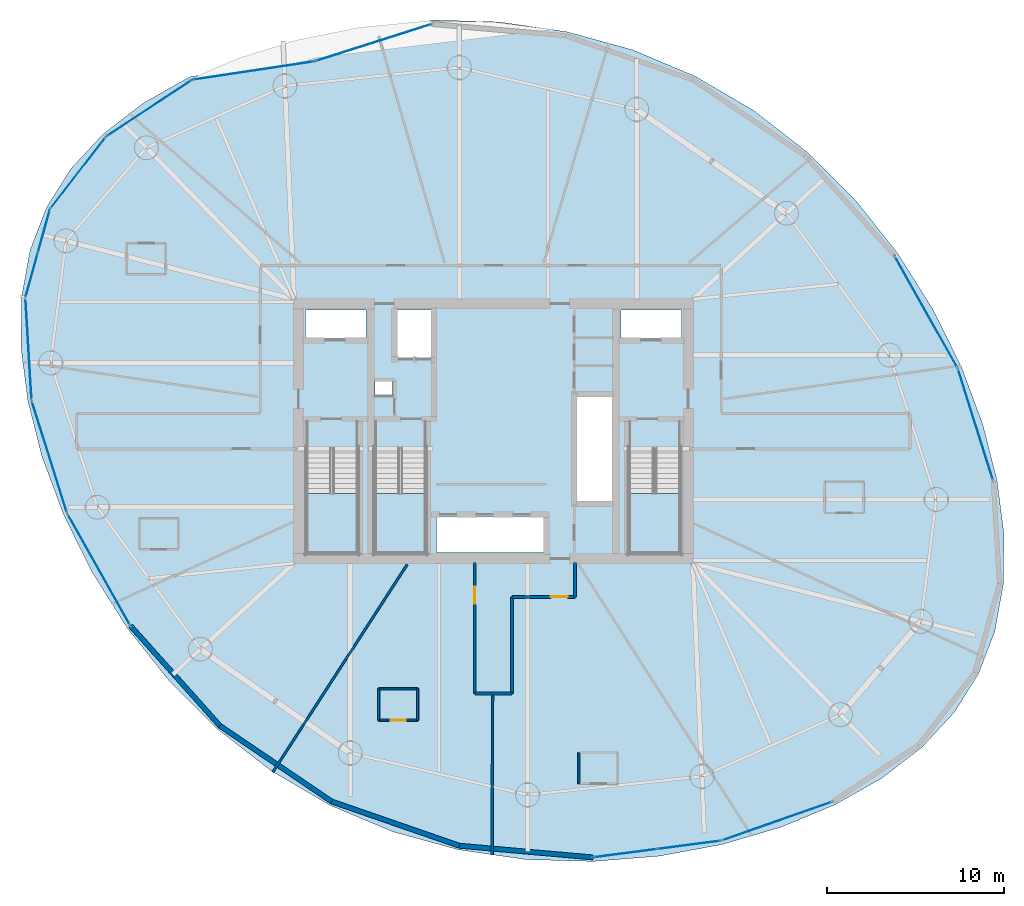
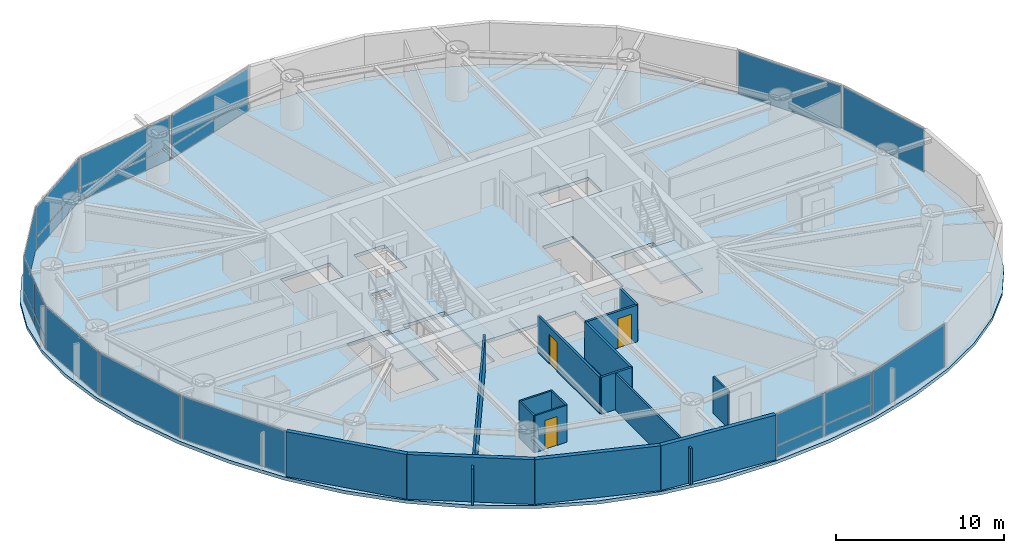
# One storey, part 16 of 22: 21 plates, 16 walls, 4 slabs, 3 doors, 3 openings, 15 elements without a shape of their own.
"""IFC4 building model written with IfcOpenShell, lengths in metres."""

from ifc_helpers import new_model, si_unit, direction, frame, frame_2d, origin, origin_2d, place, context, subcontext, project, spatial, polyline, rectangle, outline, extrude, material, layer, layer_set, type_object, element, fill, aggregate, save


model = new_model("IFC4")

# Units and contexts
model_context = context("Model", 3, precision=1e-05, world=origin(), true_north=direction((0.0, 1.0)))
body_context = subcontext(model_context, "Body", "Model", "MODEL_VIEW")
ifc_project = project(units=[si_unit("LENGTHUNIT", "METRE"), si_unit("AREAUNIT", "SQUARE_METRE"), si_unit("VOLUMEUNIT", "CUBIC_METRE"), si_unit("PLANEANGLEUNIT", "RADIAN"), si_unit("MASSUNIT", "GRAM", prefix="KILO")], contexts=[model_context])

# Site, building, storey
site_placement = place(None, origin())
site = spatial("IfcSite", under=ifc_project, at=site_placement, CompositionType="ELEMENT")
building_placement = place(site_placement, origin())
building = spatial("IfcBuilding", under=site, at=building_placement, Name="Bramvorn Convention Spire", CompositionType="ELEMENT")
storey_placement = place(building_placement, frame((0.0, 0.0, 137.800048828125)))
storey = spatial("IfcBuildingStorey", under=building, at=storey_placement, Name="L34", CompositionType="ELEMENT", Elevation=137.800048828125)

# Curtain wall, plate
ifc_material_1 = material(Name="Anodised Bronze Unitised Curtain Wall", Category="aluminium")
ifc_layer_1 = layer(ifc_material_1, 0.179931640625)
ifc_layer_set_1 = layer_set([ifc_layer_1], Name="Anodised Bronze Unitised Curtain Wall - CW-HTL-FRIT")
curtain_wall_type_1 = type_object("IfcCurtainWallType", Name="CW-HTL-FRIT", PredefinedType="USERDEFINED", material=ifc_layer_set_1)
curtain_wall_1_placement = place(storey_placement, origin())
curtain_wall_1 = element("IfcCurtainWall", 1, at=curtain_wall_1_placement, inside=storey, type_object=curtain_wall_type_1, Name="L34 fritted glass curtain wall 03", ObjectType="UNITISED CURTAIN WALL", PredefinedType="USERDEFINED")
ifc_material_2 = material(Name="Laminated Low-E Glass (Triple IGU Tapered Ceramic Frit 40%)", Category="glass")
ifc_layer_2 = layer(ifc_material_2, 0.0380859375)
ifc_layer_set_2 = layer_set([ifc_layer_2], Name="Laminated Low-E Glass (Triple IGU Tapered Ceramic Frit 40%) - PNL-IGU-2")
plate_type_1 = type_object("IfcPlateType", Name="PNL-IGU-2", PredefinedType="CURTAIN_PANEL", material=ifc_layer_set_2)
plate_1_placement = place(storey_placement, frame((65.197998046875, 26.37353515625, 0.06005859375), z_axis=(0.0, 0.0, 1.0), x_axis=(0.300489363115, -0.953785165881, 0.0)))
plate_1 = element("IfcPlate", 2, at=plate_1_placement, type_object=plate_type_1, Name="CW2 panel 1.1", PredefinedType="CURTAIN_PANEL", context=body_context, shape_type="SweptSolid", body=[
    extrude(rectangle(XDim=6.545166015625, YDim=0.028076171875, at=origin_2d()), origin(), (0.0, 0.0, 1.0), 3.139892578125),
])
aggregate(curtain_wall_1, [plate_1])

curtain_wall_2_placement = place(storey_placement, origin())
curtain_wall_2 = element("IfcCurtainWall", 3, at=curtain_wall_2_placement, inside=storey, type_object=curtain_wall_type_1, Name="L34 fritted glass curtain wall 04", ObjectType="UNITISED CURTAIN WALL", PredefinedType="USERDEFINED")
plate_2_placement = place(storey_placement, frame((62.408203125, 32.729248046875, 0.06005859375), z_axis=(0.0, 0.0, 1.0), x_axis=(0.490511898288, -0.871434494175, 0.0)))
plate_2 = element("IfcPlate", 4, at=plate_2_placement, type_object=plate_type_1, Name="CW2 panel 1.1", PredefinedType="CURTAIN_PANEL", context=body_context, shape_type="SweptSolid", body=[
    extrude(rectangle(XDim=7.171875, YDim=0.028076171875, at=origin_2d()), origin(), (0.0, 0.0, 1.0), 3.139892578125),
])
aggregate(curtain_wall_2, [plate_2])

curtain_wall_3_placement = place(storey_placement, origin())
curtain_wall_3 = element("IfcCurtainWall", 5, at=curtain_wall_3_placement, inside=storey, type_object=curtain_wall_type_1, Name="L34 fritted glass curtain wall 12", ObjectType="UNITISED CURTAIN WALL", PredefinedType="USERDEFINED")
plate_3_placement = place(storey_placement, frame((14.56298828125, 40.575927734375, 0.06005859375), z_axis=(0.0, 0.0, 1.0), x_axis=(0.611232964148, 0.791450733488, 0.0)))
plate_3 = element("IfcPlate", 6, at=plate_3_placement, type_object=plate_type_1, Name="CW2 panel 1.1", PredefinedType="CURTAIN_PANEL", context=body_context, shape_type="SweptSolid", body=[
    extrude(rectangle(XDim=5.05419921875, YDim=0.028076171875, at=origin_2d()), origin(), (0.0, 0.0, 1.0), 3.139892578125),
])
aggregate(curtain_wall_3, [plate_3])

# Curtain wall, plates
curtain_wall_4_placement = place(storey_placement, origin())
curtain_wall_4 = element("IfcCurtainWall", 7, at=curtain_wall_4_placement, inside=storey, type_object=curtain_wall_type_1, Name="L34 fritted glass curtain wall 13", ObjectType="UNITISED CURTAIN WALL", PredefinedType="USERDEFINED")
plate_4_placement = place(storey_placement, frame((11.947021484375, 34.803466796875, 0.059814453125), z_axis=(0.0, 0.0, 1.0), x_axis=(0.267609973548, 0.963527322943, 0.0)))
plate_4 = element("IfcPlate", 8, at=plate_4_placement, type_object=plate_type_1, Name="CW2 panel 1.1", PredefinedType="CURTAIN_PANEL", context=body_context, shape_type="SweptSolid", body=[
    extrude(rectangle(XDim=2.4970703125, YDim=0.028076171875, at=origin_2d()), origin(), (0.0, 0.0, 1.0), 0.81005859375),
])
plate_5_placement = place(storey_placement, frame((11.947021484375, 34.803466796875, 0.929931640625), z_axis=(0.0, 0.0, 1.0), x_axis=(0.267609973548, 0.963527322943, 0.0)))
plate_5 = element("IfcPlate", 9, at=plate_5_placement, type_object=plate_type_1, Name="CW2 panel 1.2", PredefinedType="CURTAIN_PANEL", context=body_context, shape_type="SweptSolid", body=[
    extrude(rectangle(XDim=2.4970703125, YDim=0.028076171875, at=origin_2d()), origin(), (0.0, 0.0, 1.0), 2.27001953125),
])
plate_6_placement = place(storey_placement, frame((12.63134765625, 37.267333984375, 0.059814453125), z_axis=(0.0, 0.0, 1.0), x_axis=(0.267609973548, 0.963527322943, 0.0)))
plate_6 = element("IfcPlate", 10, at=plate_6_placement, type_object=plate_type_1, Name="CW2 panel 2.1", PredefinedType="CURTAIN_PANEL", context=body_context, shape_type="SweptSolid", body=[
    extrude(rectangle(XDim=2.4970703125, YDim=0.028076171875, at=origin_2d()), origin(), (0.0, 0.0, 1.0), 0.81005859375),
])
plate_7_placement = place(storey_placement, frame((12.63134765625, 37.267333984375, 0.929931640625), z_axis=(0.0, 0.0, 1.0), x_axis=(0.267609973548, 0.963527322943, 0.0)))
plate_7 = element("IfcPlate", 11, at=plate_7_placement, type_object=plate_type_1, Name="CW2 panel 2.2", PredefinedType="CURTAIN_PANEL", context=body_context, shape_type="SweptSolid", body=[
    extrude(rectangle(XDim=2.4970703125, YDim=0.028076171875, at=origin_2d()), origin(), (0.0, 0.0, 1.0), 2.27001953125),
])
aggregate(curtain_wall_4, [plate_4, plate_5, plate_6, plate_7])

# Curtain wall, plate
curtain_wall_5_placement = place(storey_placement, origin())
curtain_wall_5 = element("IfcCurtainWall", 12, at=curtain_wall_5_placement, inside=storey, type_object=curtain_wall_type_1, Name="L34 fritted glass curtain wall 14", ObjectType="UNITISED CURTAIN WALL", PredefinedType="USERDEFINED")
plate_8_placement = place(storey_placement, frame((11.771728515625, 30.636474609375, 0.06005859375), z_axis=(0.0, 0.0, 1.0), x_axis=(-0.060039797682, 0.99819598411, 0.0)))
plate_8 = element("IfcPlate", 13, at=plate_8_placement, type_object=plate_type_1, Name="CW2 panel 1.1", PredefinedType="CURTAIN_PANEL", context=body_context, shape_type="SweptSolid", body=[
    extrude(rectangle(XDim=5.702880859375, YDim=0.028076171875, at=origin_2d()), origin(), (0.0, 0.0, 1.0), 3.139892578125),
])
aggregate(curtain_wall_5, [plate_8])

curtain_wall_6_placement = place(storey_placement, origin())
curtain_wall_6 = element("IfcCurtainWall", 14, at=curtain_wall_6_placement, inside=storey, type_object=curtain_wall_type_1, Name="L34 fritted glass curtain wall 15", ObjectType="UNITISED CURTAIN WALL", PredefinedType="USERDEFINED")
plate_9_placement = place(storey_placement, frame((12.947998046875, 24.552001953125, 0.06005859375), z_axis=(0.0, 0.0, 1.0), x_axis=(-0.300507312007, 0.953779510909, 0.0)))
plate_9 = element("IfcPlate", 15, at=plate_9_placement, type_object=plate_type_1, Name="CW2 panel 1.1", PredefinedType="CURTAIN_PANEL", context=body_context, shape_type="SweptSolid", body=[
    extrude(rectangle(XDim=6.545166015625, YDim=0.028076171875, at=origin_2d()), origin(), (0.0, 0.0, 1.0), 3.139892578125),
])
aggregate(curtain_wall_6, [plate_9])

curtain_wall_7_placement = place(storey_placement, origin())
curtain_wall_7 = element("IfcCurtainWall", 16, at=curtain_wall_7_placement, inside=storey, type_object=curtain_wall_type_1, Name="L34 fritted glass curtain wall 16", ObjectType="UNITISED CURTAIN WALL", PredefinedType="USERDEFINED")
plate_10_placement = place(storey_placement, frame((15.73779296875, 18.1962890625, 0.06005859375), z_axis=(0.0, 0.0, 1.0), x_axis=(-0.49050603627, 0.871437793754, 0.0)))
plate_10 = element("IfcPlate", 17, at=plate_10_placement, type_object=plate_type_1, Name="CW2 panel 1.1", PredefinedType="CURTAIN_PANEL", context=body_context, shape_type="SweptSolid", body=[
    extrude(rectangle(XDim=7.171875, YDim=0.028076171875, at=origin_2d()), origin(), (0.0, 0.0, 1.0), 3.139892578125),
])
aggregate(curtain_wall_7, [plate_10])

# Curtain wall, plates
curtain_wall_8_placement = place(storey_placement, origin())
curtain_wall_8 = element("IfcCurtainWall", 18, at=curtain_wall_8_placement, inside=storey, type_object=curtain_wall_type_1, Name="L34 fritted glass curtain wall 21", ObjectType="UNITISED CURTAIN WALL", PredefinedType="USERDEFINED")
plate_11_placement = place(storey_placement, frame((49.025634765625, 2.658203125, 0.059814453125), z_axis=(0.0, 0.0, 1.0), x_axis=(-0.991613329961, -0.129240101534, 0.0)))
plate_11 = element("IfcPlate", 19, at=plate_11_placement, type_object=plate_type_1, Name="CW2 panel 1.1", PredefinedType="CURTAIN_PANEL", context=body_context, shape_type="SweptSolid", body=[
    extrude(rectangle(XDim=3.555908203125, YDim=0.028076171875, at=origin_2d()), origin(), (0.0, 0.0, 1.0), 0.81005859375),
])
plate_12_placement = place(storey_placement, frame((49.025634765625, 2.658203125, 0.929931640625), z_axis=(0.0, 0.0, 1.0), x_axis=(-0.991613329961, -0.129240101534, 0.0)))
plate_12 = element("IfcPlate", 20, at=plate_12_placement, type_object=plate_type_1, Name="CW2 panel 1.2", PredefinedType="CURTAIN_PANEL", context=body_context, shape_type="SweptSolid", body=[
    extrude(rectangle(XDim=3.555908203125, YDim=0.028076171875, at=origin_2d()), origin(), (0.0, 0.0, 1.0), 2.27001953125),
])
plate_13_placement = place(storey_placement, frame((45.43994140625, 2.19091796875, 0.059814453125), z_axis=(0.0, 0.0, 1.0), x_axis=(-0.991613329961, -0.129240101534, 0.0)))
plate_13 = element("IfcPlate", 21, at=plate_13_placement, type_object=plate_type_1, Name="CW2 panel 2.1", PredefinedType="CURTAIN_PANEL", context=body_context, shape_type="SweptSolid", body=[
    extrude(rectangle(XDim=3.555908203125, YDim=0.028076171875, at=origin_2d()), origin(), (0.0, 0.0, 1.0), 0.81005859375),
])
plate_14_placement = place(storey_placement, frame((45.43994140625, 2.19091796875, 0.929931640625), z_axis=(0.0, 0.0, 1.0), x_axis=(-0.991613329961, -0.129240101534, 0.0)))
plate_14 = element("IfcPlate", 22, at=plate_14_placement, type_object=plate_type_1, Name="CW2 panel 2.2", PredefinedType="CURTAIN_PANEL", context=body_context, shape_type="SweptSolid", body=[
    extrude(rectangle(XDim=3.555908203125, YDim=0.028076171875, at=origin_2d()), origin(), (0.0, 0.0, 1.0), 2.27001953125),
])
aggregate(curtain_wall_8, [plate_11, plate_12, plate_13, plate_14])

# Curtain wall, plate
curtain_wall_9_placement = place(storey_placement, origin())
curtain_wall_9 = element("IfcCurtainWall", 23, at=curtain_wall_9_placement, inside=storey, type_object=curtain_wall_type_1, Name="L34 fritted glass curtain wall 22", ObjectType="UNITISED CURTAIN WALL", PredefinedType="USERDEFINED")
plate_15_placement = place(storey_placement, frame((53.9931640625, 3.998046875, 0.06005859375), z_axis=(0.0, 0.0, 1.0), x_axis=(-0.943727292933, -0.330724653713, 0.0)))
plate_15 = element("IfcPlate", 24, at=plate_15_placement, type_object=plate_type_1, Name="CW2 panel 1.1", PredefinedType="CURTAIN_PANEL", context=body_context, shape_type="SweptSolid", body=[
    extrude(rectangle(XDim=6.545166015625, YDim=0.028076171875, at=origin_2d()), origin(), (0.0, 0.0, 1.0), 3.139892578125),
])
aggregate(curtain_wall_9, [plate_15])

# Curtain wall, plates
ifc_layer_3 = layer(ifc_material_1, 0.219970703125)
ifc_layer_set_3 = layer_set([ifc_layer_3], Name="Anodised Bronze Unitised Curtain Wall - CW-SKYGARDEN")
curtain_wall_type_2 = type_object("IfcCurtainWallType", Name="CW-SKYGARDEN", PredefinedType="USERDEFINED", material=ifc_layer_set_3)
curtain_wall_10_placement = place(storey_placement, origin())
curtain_wall_10 = element("IfcCurtainWall", 25, at=curtain_wall_10_placement, inside=storey, type_object=curtain_wall_type_2, Name="L34 Sky Garden glazed facade 09", ObjectType="WINTER GARDEN GLAZING", PredefinedType="USERDEFINED")
ifc_material_3 = material(Name="Laminated Low-E Glass (Acoustic Laminated Podium Triple IGU)", Category="glass")
ifc_layer_4 = layer(ifc_material_3, 0.0458984375)
ifc_layer_set_4 = layer_set([ifc_layer_4], Name="Laminated Low-E Glass (Acoustic Laminated Podium Triple IGU) - PNL-IGU-5")
plate_type_2 = type_object("IfcPlateType", Name="PNL-IGU-5", PredefinedType="CURTAIN_PANEL", material=ifc_layer_set_4)
plate_16_placement = place(storey_placement, frame((31.2177734375, 47.9169921875, 0.06005859375), z_axis=(0.0, 0.0, 1.0), x_axis=(0.952808163518, 0.303573061278, 0.0)))
plate_16 = element("IfcPlate", 26, at=plate_16_placement, type_object=plate_type_2, Name="CW4 panel 1.1", PredefinedType="CURTAIN_PANEL", context=body_context, shape_type="SweptSolid", body=[
    extrude(rectangle(XDim=6.82958984375, YDim=0.028076171875, at=origin_2d()), origin(), (0.0, 0.0, 1.0), 0.909912109375),
])
plate_17_placement = place(storey_placement, frame((31.2177734375, 47.9169921875, 1.030029296875), z_axis=(0.0, 0.0, 1.0), x_axis=(0.952808163518, 0.303573061278, 0.0)))
plate_17 = element("IfcPlate", 27, at=plate_17_placement, type_object=plate_type_2, Name="CW4 panel 1.2", PredefinedType="CURTAIN_PANEL", context=body_context, shape_type="SweptSolid", body=[
    extrude(rectangle(XDim=6.82958984375, YDim=0.028076171875, at=origin_2d()), origin(), (0.0, 0.0, 1.0), 2.169921875),
])
aggregate(curtain_wall_10, [plate_16, plate_17])

curtain_wall_11_placement = place(storey_placement, origin())
curtain_wall_11 = element("IfcCurtainWall", 28, at=curtain_wall_11_placement, inside=storey, type_object=curtain_wall_type_2, Name="L34 Sky Garden glazed facade 10", ObjectType="WINTER GARDEN GLAZING", PredefinedType="USERDEFINED")
plate_18_placement = place(storey_placement, frame((24.457275390625, 46.34375, 0.06005859375), z_axis=(0.0, 0.0, 1.0), x_axis=(0.988891414232, 0.148639735126, 0.0)))
plate_18 = element("IfcPlate", 29, at=plate_18_placement, type_object=plate_type_2, Name="CW4 panel 1.1", PredefinedType="CURTAIN_PANEL", context=body_context, shape_type="SweptSolid", body=[
    extrude(rectangle(XDim=6.856689453125, YDim=0.028076171875, at=origin_2d()), origin(), (0.0, 0.0, 1.0), 0.909912109375),
])
plate_19_placement = place(storey_placement, frame((24.457275390625, 46.34375, 1.030029296875), z_axis=(0.0, 0.0, 1.0), x_axis=(0.988891414232, 0.148639735126, 0.0)))
plate_19 = element("IfcPlate", 30, at=plate_19_placement, type_object=plate_type_2, Name="CW4 panel 1.2", PredefinedType="CURTAIN_PANEL", context=body_context, shape_type="SweptSolid", body=[
    extrude(rectangle(XDim=6.856689453125, YDim=0.028076171875, at=origin_2d()), origin(), (0.0, 0.0, 1.0), 2.169921875),
])
aggregate(curtain_wall_11, [plate_18, plate_19])

curtain_wall_12_placement = place(storey_placement, origin())
curtain_wall_12 = element("IfcCurtainWall", 31, at=curtain_wall_12_placement, inside=storey, type_object=curtain_wall_type_2, Name="L34 Sky Garden glazed facade 11", ObjectType="WINTER GARDEN GLAZING", PredefinedType="USERDEFINED")
plate_20_placement = place(storey_placement, frame((18.576171875, 44.224365234375, 0.06005859375), z_axis=(0.0, 0.0, 1.0), x_axis=(0.835257052324, 0.549859669864, 0.0)))
plate_20 = element("IfcPlate", 32, at=plate_20_placement, type_object=plate_type_2, Name="CW4 panel 1.1", PredefinedType="CURTAIN_PANEL", context=body_context, shape_type="SweptSolid", body=[
    extrude(rectangle(XDim=5.70263671875, YDim=0.028076171875, at=origin_2d()), origin(), (0.0, 0.0, 1.0), 0.909912109375),
])
plate_21_placement = place(storey_placement, frame((18.576171875, 44.224365234375, 1.030029296875), z_axis=(0.0, 0.0, 1.0), x_axis=(0.835257052324, 0.549859669864, 0.0)))
plate_21 = element("IfcPlate", 33, at=plate_21_placement, type_object=plate_type_2, Name="CW4 panel 1.2", PredefinedType="CURTAIN_PANEL", context=body_context, shape_type="SweptSolid", body=[
    extrude(rectangle(XDim=5.70263671875, YDim=0.028076171875, at=origin_2d()), origin(), (0.0, 0.0, 1.0), 2.169921875),
])
aggregate(curtain_wall_12, [plate_20, plate_21])

# Stair, slab
ifc_material_4 = material(Name="Concrete C40/50 Precast Stair", Category="concrete")
stair_type = type_object("IfcStairType", Name="ST-TOWER-1550", PredefinedType="HALF_TURN_STAIR", material=ifc_material_4)
stair_1_placement = place(storey_placement, origin())
stair_1 = element("IfcStair", 34, at=stair_1_placement, inside=storey, type_object=stair_type, Name="L34 Protected Exit Stair ST1", PredefinedType="HALF_TURN_STAIR")
ifc_material_5 = material(Name="Concrete C40/50 Stair Landing", Category="concrete")
ifc_layer_5 = layer(ifc_material_5, 0.219970703125)
ifc_layer_set_5 = layer_set([ifc_layer_5], Name="Concrete C40/50 Stair Landing - SLB-STAIR-LANDING")
slab_type_1 = type_object("IfcSlabType", Name="SLB-STAIR-LANDING", PredefinedType="LANDING", material=ifc_layer_set_5)
slab_1_placement = place(storey_placement, frame((0.0, 0.0, 1.550048828125)))
slab_1 = element("IfcSlab", 35, at=slab_1_placement, type_object=slab_type_1, Name="ST1 landing 1", PredefinedType="LANDING", context=body_context, shape_type="SweptSolid", body=[
    extrude(outline(polyline([(27.449951171875, 22.485107421875), (27.449951171875, 19.10009765625), (30.35009765625, 19.10009765625), (30.35009765625, 22.485107421875), (27.449951171875, 22.485107421875)])), origin(), (0.0, 0.0, 1.0), 0.199951171875),
])
aggregate(stair_1, [slab_1])

stair_2_placement = place(storey_placement, origin())
stair_2 = element("IfcStair", 36, at=stair_2_placement, inside=storey, type_object=stair_type, Name="L34 Protected Exit Stair ST2", PredefinedType="HALF_TURN_STAIR")
slab_2_placement = place(storey_placement, frame((0.0, 0.0, 1.550048828125)))
slab_2 = element("IfcSlab", 37, at=slab_2_placement, type_object=slab_type_1, Name="ST2 landing 1", PredefinedType="LANDING", context=body_context, shape_type="SweptSolid", body=[
    extrude(outline(polyline([(45.64990234375, 22.485107421875), (45.64990234375, 19.10009765625), (48.550048828125, 19.10009765625), (48.550048828125, 22.485107421875), (45.64990234375, 22.485107421875)])), origin(), (0.0, 0.0, 1.0), 0.199951171875),
])
aggregate(stair_2, [slab_2])

stair_3_placement = place(storey_placement, origin())
stair_3 = element("IfcStair", 38, at=stair_3_placement, inside=storey, type_object=stair_type, Name="L34 Protected Exit Stair ST3", PredefinedType="HALF_TURN_STAIR")
slab_3_placement = place(storey_placement, frame((0.0, 0.0, 1.550048828125)))
slab_3 = element("IfcSlab", 39, at=slab_3_placement, type_object=slab_type_1, Name="ST3 landing 1", PredefinedType="LANDING", context=body_context, shape_type="SweptSolid", body=[
    extrude(outline(polyline([(31.300048828125, 22.485107421875), (31.300048828125, 19.10009765625), (34.199951171875, 19.10009765625), (34.199951171875, 22.485107421875), (31.300048828125, 22.485107421875)])), origin(), (0.0, 0.0, 1.0), 0.199951171875),
])
aggregate(stair_3, [slab_3])

# Slab
ifc_material_6 = material(Name="Concrete C50/60", Category="concrete")
ifc_layer_6 = layer(ifc_material_6, 0.239990234375)
ifc_layer_set_6 = layer_set([ifc_layer_6], Name="Concrete C50/60 - SLB-Z2-240")
slab_type_2 = type_object("IfcSlabType", Name="SLB-Z2-240", PredefinedType="FLOOR", material=ifc_layer_set_6)
slab_4_placement = place(storey_placement, frame((0.0, 0.0, -0.239990234375)))
element("IfcSlab", 40, at=slab_4_placement, inside=storey, type_object=slab_type_2, Name="L34 tower floor slab", PredefinedType="FLOOR", context=body_context, shape_type="SweptSolid", body=[
    extrude(outline(polyline([(65.361083984375, 12.298583984375), (66.284912109375, 14.705078125), (66.7626953125, 17.3349609375), (66.80322265625, 20.1767578125), (66.4169921875, 23.2041015625), (65.614501953125, 26.373046875), (64.405517578125, 29.621337890625), (62.79931640625, 32.87158203125), (60.806884765625, 36.0341796875), (58.442626953125, 39.01611328125), (55.727294921875, 41.7265625), (52.690673828125, 44.086181640625), (49.373291015625, 46.03173828125), (45.827880859375, 47.522705078125), (42.11962890625, 48.541015625), (38.32275390625, 49.091552734375), (34.518798828125, 49.198486328125), (31.071044921875, 48.112060546875), (27.835693359375, 47.0703125), (24.412353515625, 46.528564453125), (20.884765625, 46.0048828125), (18.229248046875, 44.500732421875), (15.97802734375, 42.76611328125), (14.158447265625, 40.80810546875), (12.784912109375, 38.626708984375), (11.861083984375, 36.22021484375), (11.38330078125, 33.59033203125), (11.342529296875, 30.74853515625), (11.72900390625, 27.72119140625), (12.531494140625, 24.552490234375), (13.740478515625, 21.303955078125), (15.3466796875, 18.0537109375), (17.339111328125, 14.89111328125), (19.703125, 11.9091796875), (22.418701171875, 9.19873046875), (25.455322265625, 6.83935546875), (28.772705078125, 4.8935546875), (32.31787109375, 3.402587890625), (36.0263671875, 2.384521484375), (39.8232421875, 1.833984375), (43.627197265625, 1.72705078125), (47.35302734375, 2.026123046875), (50.91748046875, 2.68701171875), (54.2431640625, 3.664794921875), (57.26123046875, 4.92041015625), (59.916748046875, 6.424560546875), (62.16796875, 8.1591796875), (63.987548828125, 10.117431640625), (65.361083984375, 12.298583984375)]), holes=[polyline([(27.449951171875, 25.050048828125), (27.449951171875, 19.10009765625), (30.35009765625, 19.10009765625), (30.35009765625, 25.050048828125), (27.449951171875, 25.050048828125)]), polyline([(45.64990234375, 25.050048828125), (45.64990234375, 19.10009765625), (48.550048828125, 19.10009765625), (48.550048828125, 25.050048828125), (45.64990234375, 25.050048828125)]), polyline([(31.300048828125, 25.050048828125), (31.300048828125, 19.10009765625), (34.199951171875, 19.10009765625), (34.199951171875, 25.050048828125), (31.300048828125, 25.050048828125)]), polyline([(27.39990234375, 31.219970703125), (30.800048828125, 31.219970703125), (30.800048828125, 32.85009765625), (27.39990234375, 32.85009765625), (27.39990234375, 31.219970703125)]), polyline([(45.199951171875, 31.219970703125), (48.60009765625, 31.219970703125), (48.60009765625, 32.85009765625), (45.199951171875, 32.85009765625), (45.199951171875, 31.219970703125)]), polyline([(32.449951171875, 30.14990234375), (34.56005859375, 30.14990234375), (34.56005859375, 32.85009765625), (32.449951171875, 32.85009765625), (32.449951171875, 30.14990234375)]), polyline([(34.800048828125, 19.14990234375), (40.97998046875, 19.14990234375), (40.97998046875, 21.199951171875), (34.800048828125, 21.199951171875), (34.800048828125, 19.14990234375)]), polyline([(42.6201171875, 22.0), (44.75, 22.0), (44.75, 28.0), (42.6201171875, 28.0), (42.6201171875, 22.0)]), polyline([(31.320068359375, 28.02001953125), (32.280029296875, 28.02001953125), (32.280029296875, 28.820068359375), (31.320068359375, 28.820068359375), (31.320068359375, 28.02001953125)])]), origin(), (0.0, 0.0, 1.0), 0.239990234375),
])

# Walls
ifc_material_7 = material(Name="Precast Concrete C40/50 with Bronze Terracotta Rainscreen", Category="masonry")
ifc_layer_7 = layer(ifc_material_7, 0.300048828125)
ifc_layer_set_7 = layer_set([ifc_layer_7], Name="Precast Concrete C40/50 with Bronze Terracotta Rainscreen - WL-EXT-BRONZE-300")
wall_type_1 = type_object("IfcWallType", Name="WL-EXT-BRONZE-300", PredefinedType="SOLIDWALL", material=ifc_layer_set_7)
wall_1_placement = place(storey_placement, frame((22.5712890625, 9.37646484375, 0.0), z_axis=(0.0, 0.0, 1.0), x_axis=(-0.666541200497, 0.745468193849, 0.0)))
element("IfcWall", 41, at=wall_1_placement, inside=storey, type_object=wall_type_1, Name="L34 expressed bronze Gothic lancet pier wall 17", PredefinedType="SOLIDWALL", context=body_context, shape_type="SweptSolid", body=[
    extrude(rectangle(XDim=7.569091796875, YDim=0.280029296875, at=frame_2d((3.78466796875, 0.0))), origin(), (0.0, 0.0, 1.0), 3.260009765625),
])
for number, where, z_axis, x_axis, name in (
    (42, (28.879150390625, 5.10595703125, 0.0), (0.0, 0.0, 1.0), (-0.828074679095, 0.560617807282, 0.0), "L34 expressed bronze Gothic lancet pier wall 18"),
    (43, (36.0771484375, 2.61328125, 0.0), (0.0, 0.0, 1.0), (-0.944943006741, 0.327234952306, 0.0), "L34 expressed bronze Gothic lancet pier wall 19"),
):
    element("IfcWall", number, at=place(storey_placement, frame(where, z_axis=z_axis, x_axis=x_axis)), inside=storey, type_object=wall_type_1, Name=name, PredefinedType="SOLIDWALL", context=body_context, shape_type="SweptSolid", body=[
        extrude(rectangle(XDim=7.617431640625, YDim=0.280029296875, at=frame_2d((3.80859375, 0.0))), origin(), (0.0, 0.0, 1.0), 3.260009765625),
    ])
wall_2_placement = place(storey_placement, frame((43.617431640625, 1.953369140625, 0.0), z_axis=(0.0, 0.0, 1.0), x_axis=(-0.996192141851, 0.087184955785, 0.0)))
element("IfcWall", 44, at=wall_2_placement, inside=storey, type_object=wall_type_1, Name="L34 expressed bronze Gothic lancet pier wall 20", PredefinedType="SOLIDWALL", context=body_context, shape_type="SweptSolid", body=[
    extrude(rectangle(XDim=7.569091796875, YDim=0.280029296875, at=frame_2d((3.78466796875, 0.0))), origin(), (0.0, 0.0, 1.0), 3.260009765625),
])

# Wall, opening, door
ifc_material_8 = material(Name="Lightweight En-Suite & Wet-Wall Partition", Category="gypsum")
ifc_layer_8 = layer(ifc_material_8, 0.110107421875)
ifc_layer_set_8 = layer_set([ifc_layer_8], Name="Lightweight En-Suite & Wet-Wall Partition - WL-PART-110")
wall_type_2 = type_object("IfcWallType", Name="WL-PART-110", PredefinedType="PARTITIONING", material=ifc_layer_set_8)
wall_3_placement = place(storey_placement, frame((31.518310546875, 9.698486328125, 0.0), z_axis=(0.0, 0.0, 1.0), x_axis=(1.0, 0.0, 0.0)))
wall_3 = element("IfcWall", 45, at=wall_3_placement, inside=storey, type_object=wall_type_2, Name="Hotel Suite 3408 en-suite south wall", PredefinedType="PARTITIONING", context=body_context, shape_type="SweptSolid", body=[
    extrude(rectangle(XDim=2.199951171875, YDim=0.110107421875, at=frame_2d((1.10009765625, 0.0))), origin(), (0.0, 0.0, 1.0), 2.675048828125),
])
opening_1_placement = place(wall_3_placement, frame((0.679931640625, 0.0, 0.0)))
opening_1 = element("IfcOpeningElement", 46, at=opening_1_placement, cuts=wall_3, Name="Opening DI-085", PredefinedType="OPENING", context=body_context, shape_type="SweptSolid", body=[
    extrude(rectangle(XDim=0.85009765625, YDim=2.10009765625, at=frame_2d((0.425048828125, 1.050048828125))), frame((0.0, 0.06494140625, 0.0), z_axis=(0.0, -1.0, 0.0), x_axis=(1.0, 0.0, 0.0)), (0.0, 0.0, 1.0), 0.130126953125),
])
ifc_material_9 = material(Name="En-Suite & Restroom Privacy Door", Category="wood")
door_type_1 = type_object("IfcDoorType", Name="DR-INT-850", OperationType="NOTDEFINED", PredefinedType="DOOR", material=ifc_material_9)
door_1_placement = place(opening_1_placement, origin())
door_1 = element("IfcDoor", 47, at=door_1_placement, inside=storey, type_object=door_type_1, Name="Hotel Suite 3408 En-Suite Bathroom door", OperationType="SINGLE_SWING_LEFT", OverallHeight=2.10009765625, OverallWidth=0.85009765625, PredefinedType="DOOR", context=body_context, shape_type="SweptSolid", body=[
    extrude(rectangle(XDim=0.85009765625, YDim=2.10009765625, at=frame_2d((0.425048828125, 1.050048828125))), frame((0.0, 0.02490234375, 0.0), z_axis=(0.0, -1.0, 0.0), x_axis=(1.0, 0.0, 0.0)), (0.0, 0.0, 1.0), 0.050048828125),
])
fill(opening_1, door_1)

# Walls
wall_4_placement = place(storey_placement, frame((31.518310546875, 11.45849609375, 0.0), z_axis=(0.0, 0.0, 1.0), x_axis=(1.0, 0.0, 0.0)))
element("IfcWall", 48, at=wall_4_placement, inside=storey, type_object=wall_type_2, Name="Hotel Suite 3408 en-suite north wall", PredefinedType="PARTITIONING", context=body_context, shape_type="SweptSolid", body=[
    extrude(rectangle(XDim=2.199951171875, YDim=0.110107421875, at=frame_2d((1.10009765625, 0.0))), origin(), (0.0, 0.0, 1.0), 2.675048828125),
])
for number, where, z_axis, x_axis, name in (
    (49, (31.518310546875, 9.698486328125, 0.0), (0.0, 0.0, 1.0), (0.0, 1.0, 0.0), "Hotel Suite 3408 en-suite west wall"),
    (50, (33.71826171875, 9.698486328125, 0.0), (0.0, 0.0, 1.0), (0.0, 1.0, 0.0), "Hotel Suite 3408 en-suite east wall"),
    (51, (42.822998046875, 6.11328125, 0.0), (0.0, 0.0, 1.0), (0.0, 1.0, 0.0), "Hotel Suite 3409 en-suite west wall"),
):
    element("IfcWall", number, at=place(storey_placement, frame(where, z_axis=z_axis, x_axis=x_axis)), inside=storey, type_object=wall_type_2, Name=name, PredefinedType="PARTITIONING", context=body_context, shape_type="SweptSolid", body=[
        extrude(rectangle(XDim=1.760009765625, YDim=0.110107421875, at=frame_2d((0.8798828125, 0.0))), origin(), (0.0, 0.0, 1.0), 2.675048828125),
    ])
ifc_material_10 = material(Name="Metal-Stud Demountable Office Partition", Category="gypsum")
ifc_layer_9 = layer(ifc_material_10, 0.1298828125)
ifc_layer_set_9 = layer_set([ifc_layer_9], Name="Metal-Stud Demountable Office Partition - WL-PART-130")
wall_type_3 = type_object("IfcWallType", Name="WL-PART-130", PredefinedType="PARTITIONING", material=ifc_layer_set_9)
wall_5_placement = place(storey_placement, frame((33.13330078125, 18.47998046875, 0.0), z_axis=(0.0, 0.0, 1.0), x_axis=(-0.543304894445, -0.839535461831, 0.0)))
element("IfcWall", 52, at=wall_5_placement, inside=storey, type_object=wall_type_3, Name="L34 Guestroom demising wall 8", PredefinedType="PARTITIONING", context=body_context, shape_type="SweptSolid", body=[
    extrude(rectangle(XDim=13.97119140625, YDim=0.1298828125, at=frame_2d((6.985595703125, 0.0))), origin(), (0.0, 0.0, 1.0), 2.675048828125),
])
wall_6_placement = place(storey_placement, frame((37.95263671875, 11.06005859375, 0.0), z_axis=(0.0, 0.0, 1.0), x_axis=(-0.003179936631, -0.999994943989, 0.0)))
element("IfcWall", 53, at=wall_6_placement, inside=storey, type_object=wall_type_3, Name="L34 Guestroom demising wall 9", PredefinedType="PARTITIONING", context=body_context, shape_type="SweptSolid", body=[
    extrude(rectangle(XDim=8.982666015625, YDim=0.1298828125, at=frame_2d((4.4912109375, 0.0))), origin(), (0.0, 0.0, 1.0), 2.675048828125),
])

# Wall, opening, door
ifc_material_11 = material(Name="Acoustic Metal-Stud Tenant/Corridor Partition", Category="gypsum")
ifc_layer_10 = layer(ifc_material_11, 0.14990234375)
ifc_layer_set_10 = layer_set([ifc_layer_10], Name="Acoustic Metal-Stud Tenant/Corridor Partition - WL-PART-150")
wall_type_4 = type_object("IfcWallType", Name="WL-PART-150", PredefinedType="PARTITIONING", material=ifc_layer_set_10)
wall_7_placement = place(storey_placement, frame((36.949951171875, 11.199951171875, 0.0), z_axis=(0.0, 0.0, 1.0), x_axis=(0.0, 1.0, 0.0)))
wall_7 = element("IfcWall", 54, at=wall_7_placement, inside=storey, type_object=wall_type_4, Name="L34 South axial spine west wall", PredefinedType="PARTITIONING", context=body_context, shape_type="SweptSolid", body=[
    extrude(rectangle(XDim=7.400146484375, YDim=0.14990234375, at=frame_2d((3.7001953125, 0.0))), origin(), (0.0, 0.0, 1.0), 2.675048828125),
])
opening_2_placement = place(wall_7_placement, frame((5.074951171875, 0.0, 0.0)))
opening_2 = element("IfcOpeningElement", 55, at=opening_2_placement, cuts=wall_7, Name="Opening DH-095", PredefinedType="OPENING", context=body_context, shape_type="SweptSolid", body=[
    extrude(rectangle(XDim=0.949951171875, YDim=2.14990234375, at=frame_2d((0.47509765625, 1.074951171875))), frame((0.0, 0.0849609375, 0.0), z_axis=(0.0, -1.0, 0.0), x_axis=(1.0, 0.0, 0.0)), (0.0, 0.0, 1.0), 0.169921875),
])
ifc_material_12 = material(Name="Solid-Core Acoustic Guestroom Entry Door", Category="wood")
door_type_2 = type_object("IfcDoorType", Name="DR-HOTEL-950", OperationType="NOTDEFINED", PredefinedType="DOOR", material=ifc_material_12)
door_2_placement = place(opening_2_placement, origin())
door_2 = element("IfcDoor", 56, at=door_2_placement, inside=storey, type_object=door_type_2, Name="Hotel Suite 3408 entry door", OperationType="SINGLE_SWING_LEFT", OverallHeight=2.14990234375, OverallWidth=0.949951171875, PredefinedType="DOOR", context=body_context, shape_type="SweptSolid", body=[
    extrude(rectangle(XDim=0.949951171875, YDim=2.14990234375, at=frame_2d((0.47509765625, 1.074951171875))), frame((0.0, 0.02490234375, 0.0), z_axis=(0.0, -1.0, 0.0), x_axis=(1.0, 0.0, 0.0)), (0.0, 0.0, 1.0), 0.050048828125),
])
fill(opening_2, door_2)

# Wall
wall_8_placement = place(storey_placement, frame((39.050048828125, 11.199951171875, 0.0), z_axis=(0.0, 0.0, 1.0), x_axis=(0.0, 1.0, 0.0)))
element("IfcWall", 57, at=wall_8_placement, inside=storey, type_object=wall_type_4, Name="L34 South axial spine east wall", PredefinedType="PARTITIONING", context=body_context, shape_type="SweptSolid", body=[
    extrude(rectangle(XDim=5.449951171875, YDim=0.14990234375, at=frame_2d((2.72509765625, 0.0))), origin(), (0.0, 0.0, 1.0), 2.675048828125),
])

# Wall, opening, door
wall_9_placement = place(storey_placement, frame((39.050048828125, 16.64990234375, 0.0), z_axis=(0.0, 0.0, 1.0), x_axis=(1.0, 0.0, 0.0)))
wall_9 = element("IfcWall", 58, at=wall_9_placement, inside=storey, type_object=wall_type_4, Name="L34 South lift lobby link wall", PredefinedType="PARTITIONING", context=body_context, shape_type="SweptSolid", body=[
    extrude(rectangle(XDim=3.550048828125, YDim=0.14990234375, at=frame_2d((1.77490234375, 0.0))), origin(), (0.0, 0.0, 1.0), 2.675048828125),
])
opening_3_placement = place(wall_9_placement, frame((2.1875, 0.0, 0.0)))
opening_3 = element("IfcOpeningElement", 59, at=opening_3_placement, cuts=wall_9, Name="Opening DH-095", PredefinedType="OPENING", context=body_context, shape_type="SweptSolid", body=[
    extrude(rectangle(XDim=0.949951171875, YDim=2.14990234375, at=frame_2d((0.47509765625, 1.074951171875))), frame((0.0, 0.0849609375, 0.0), z_axis=(0.0, -1.0, 0.0), x_axis=(1.0, 0.0, 0.0)), (0.0, 0.0, 1.0), 0.169921875),
])
door_3_placement = place(opening_3_placement, origin())
door_3 = element("IfcDoor", 60, at=door_3_placement, inside=storey, type_object=door_type_2, Name="Hotel Suite 3409 entry door", OperationType="SINGLE_SWING_LEFT", OverallHeight=2.14990234375, OverallWidth=0.949951171875, PredefinedType="DOOR", context=body_context, shape_type="SweptSolid", body=[
    extrude(rectangle(XDim=0.949951171875, YDim=2.14990234375, at=frame_2d((0.47509765625, 1.074951171875))), frame((0.0, 0.02490234375, 0.0), z_axis=(0.0, -1.0, 0.0), x_axis=(1.0, 0.0, 0.0)), (0.0, 0.0, 1.0), 0.050048828125),
])
fill(opening_3, door_3)

# Walls
wall_10_placement = place(storey_placement, frame((42.60009765625, 16.64990234375, 0.0), z_axis=(0.0, 0.0, 1.0), x_axis=(0.0, 1.0, 0.0)))
element("IfcWall", 61, at=wall_10_placement, inside=storey, type_object=wall_type_4, Name="L34 South lift lobby east cheek", PredefinedType="PARTITIONING", context=body_context, shape_type="SweptSolid", body=[
    extrude(rectangle(XDim=1.9501953125, YDim=0.14990234375, at=frame_2d((0.97509765625, 0.0))), origin(), (0.0, 0.0, 1.0), 2.675048828125),
])
wall_11_placement = place(storey_placement, frame((36.949951171875, 11.199951171875, 0.0), z_axis=(0.0, 0.0, 1.0), x_axis=(1.0, 0.0, 0.0)))
element("IfcWall", 62, at=wall_11_placement, inside=storey, type_object=wall_type_4, Name="L34 South axial spine end wall", PredefinedType="PARTITIONING", context=body_context, shape_type="SweptSolid", body=[
    extrude(rectangle(XDim=2.10009765625, YDim=0.14990234375, at=frame_2d((1.050048828125, 0.0))), origin(), (0.0, 0.0, 1.0), 2.675048828125),
])

save(model, "model.ifc")
